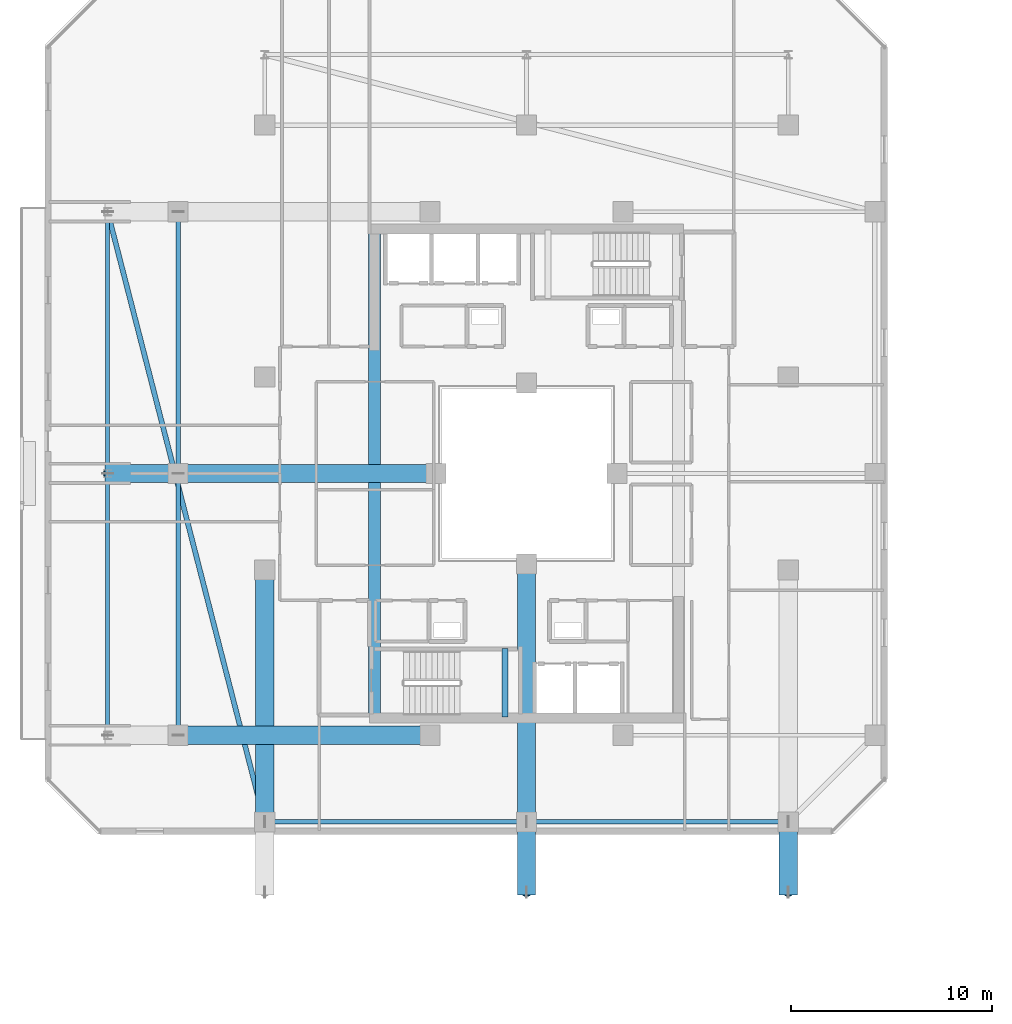
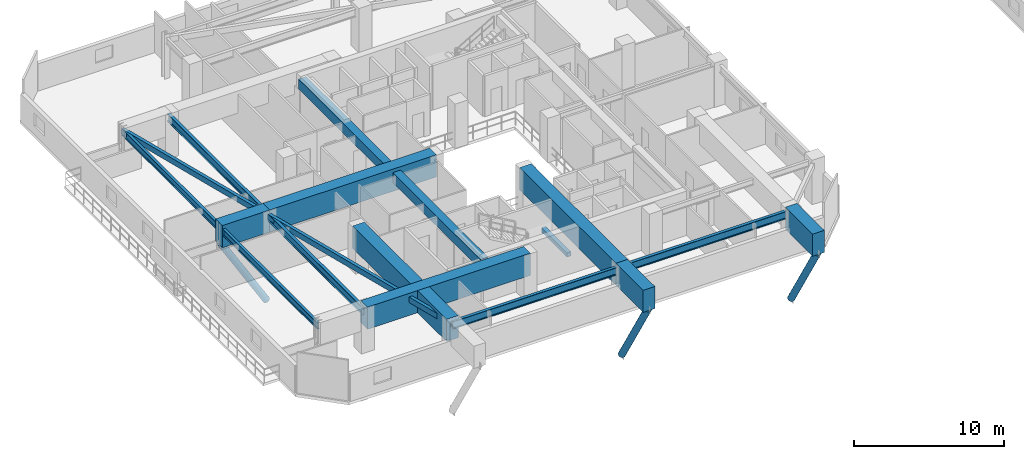
# One storey, part 4 of 35: 16 beams, 3 members.
"""IFC4 building model written with IfcOpenShell, lengths in metres."""

from ifc_helpers import new_model, si_unit, direction, frame, origin, origin_2d, place, context, subcontext, project, spatial, rectangle, hollow_rectangle, hollow_circle, i_section, extrude, material, material_profile, profile_set, type_object, element, save


model = new_model("IFC4")

# Units and contexts
model_context = context("Model", 3, precision=1e-05, world=origin(), true_north=direction((0.0, 1.0)))
body_context = subcontext(model_context, "Body", "Model", "MODEL_VIEW")
ifc_project = project(units=[si_unit("LENGTHUNIT", "METRE"), si_unit("AREAUNIT", "SQUARE_METRE"), si_unit("VOLUMEUNIT", "CUBIC_METRE"), si_unit("PLANEANGLEUNIT", "RADIAN"), si_unit("MASSUNIT", "GRAM", prefix="KILO")], contexts=[model_context])

# Site, building, storey
site_placement = place(None, origin())
site = spatial("IfcSite", under=ifc_project, at=site_placement, CompositionType="ELEMENT")
building_placement = place(site_placement, origin())
building = spatial("IfcBuilding", under=site, at=building_placement, Name="Thornwick Lancets Civic Towers", CompositionType="ELEMENT")
storey_placement = place(building_placement, frame((0.0, 0.0, 225.89990234375)))
storey = spatial("IfcBuildingStorey", under=building, at=storey_placement, Name="L60", CompositionType="ELEMENT", Elevation=225.89990234375)

# Beams
ifc_material_1 = material(Name="Concrete C60/75", Category="concrete")
ifc_material_profile_1 = material_profile(ifc_material_1, rectangle(XDim=0.60009765625, YDim=0.800048828125, at=origin_2d()), Name="RC 600x800")
ifc_profile_set_1 = profile_set([ifc_material_profile_1], Name="Concrete C60/75")
beam_type_1 = type_object("IfcBeamType", Name="BM_COUP_RC800", PredefinedType="BEAM", material=ifc_profile_set_1)
beam_1_placement = place(storey_placement, frame((17.949951171875, 14.89990234375, 2.920166015625), z_axis=(0.0, 1.0, 0.0), x_axis=(-1.0, 0.0, 0.0)))
element("IfcBeam", 1, at=beam_1_placement, inside=storey, type_object=beam_type_1, Name="CB-L60-A2", PredefinedType="BEAM", context=body_context, shape_type="SweptSolid", body=[
    extrude(rectangle(XDim=0.60009765625, YDim=0.800048828125, at=origin_2d()), origin(), (0.0, 0.0, 1.0), 24.2001953125),
])
ifc_material_2 = material(Name="Steel S355JR", Category="steel")
ifc_material_profile_2 = material_profile(ifc_material_2, i_section(OverallWidth=0.210693359375, OverallDepth=0.53955078125, WebThickness=0.01171875, FlangeThickness=0.018798828125, FilletRadius=0.0126953125, at=origin_2d()), Name="UKB 533x210x109")
ifc_profile_set_2 = profile_set([ifc_material_profile_2], Name="Steel S355JR")
beam_type_2 = type_object("IfcBeamType", Name="BM_EDGE_533_109", PredefinedType="SPANDREL", material=ifc_profile_set_2)
beam_2_placement = place(storey_placement, frame((4.699951171875, 14.0, 3.05029296875), z_axis=(0.0, 1.0, 0.0), x_axis=(-1.0, 0.0, 0.0)))
element("IfcBeam", 2, at=beam_2_placement, inside=storey, type_object=beam_type_2, Name="BM-EDGE-L60-A-S3-1", PredefinedType="SPANDREL", context=body_context, shape_type="SweptSolid", body=[
    extrude(i_section(OverallWidth=0.210693359375, OverallDepth=0.53955078125, WebThickness=0.01171875, FlangeThickness=0.018798828125, FilletRadius=0.0126953125, at=origin_2d()), origin(), (0.0, 0.0, 1.0), 13.0),
])
beam_3_placement = place(storey_placement, frame((4.699951171875, 27.080078125, 3.05029296875), z_axis=(0.0, 1.0, 0.0), x_axis=(-1.0, 0.0, 0.0)))
element("IfcBeam", 3, at=beam_3_placement, inside=storey, type_object=beam_type_2, Name="BM-EDGE-L60-A-S3-2", PredefinedType="SPANDREL", context=body_context, shape_type="SweptSolid", body=[
    extrude(i_section(OverallWidth=0.210693359375, OverallDepth=0.53955078125, WebThickness=0.01171875, FlangeThickness=0.018798828125, FilletRadius=0.0126953125, at=origin_2d()), origin(), (0.0, 0.0, 1.0), 12.919921875),
])
ifc_material_profile_3 = material_profile(ifc_material_2, i_section(OverallWidth=0.230224609375, OverallDepth=0.6171875, WebThickness=0.01318359375, FlangeThickness=0.022216796875, FilletRadius=0.0126953125, at=origin_2d()), Name="UKB 610x229x140")
ifc_profile_set_3 = profile_set([ifc_material_profile_3], Name="Steel S355JR")
beam_type_3 = type_object("IfcBeamType", Name="BM_GIRD_610_140", PredefinedType="BEAM", material=ifc_profile_set_3)
beam_4_placement = place(storey_placement, frame((12.5, 9.699951171875, 3.011474609375), z_axis=(1.0, 0.0, 0.0), x_axis=(0.0, 1.0, 0.0)))
element("IfcBeam", 4, at=beam_4_placement, inside=storey, type_object=beam_type_3, Name="BM-SPINE-L60-A-0-1", PredefinedType="BEAM", context=body_context, shape_type="SweptSolid", body=[
    extrude(i_section(OverallWidth=0.230224609375, OverallDepth=0.6171875, WebThickness=0.01318359375, FlangeThickness=0.022216796875, FilletRadius=0.0126953125, at=origin_2d()), origin(), (0.0, 0.0, 1.0), 13.0),
])
beam_5_placement = place(storey_placement, frame((25.580078125, 9.699951171875, 3.011474609375), z_axis=(1.0, 0.0, 0.0), x_axis=(0.0, 1.0, 0.0)))
element("IfcBeam", 5, at=beam_5_placement, inside=storey, type_object=beam_type_3, Name="BM-SPINE-L60-A-1-2", PredefinedType="BEAM", context=body_context, shape_type="SweptSolid", body=[
    extrude(i_section(OverallWidth=0.230224609375, OverallDepth=0.6171875, WebThickness=0.01318359375, FlangeThickness=0.022216796875, FilletRadius=0.0126953125, at=origin_2d()), origin(), (0.0, 0.0, 1.0), 12.919921875),
])
beam_6_placement = place(storey_placement, frame((8.199951171875, 14.0, 3.011474609375), z_axis=(0.0, 1.0, 0.0), x_axis=(-1.0, 0.0, 0.0)))
element("IfcBeam", 6, at=beam_6_placement, inside=storey, type_object=beam_type_3, Name="BM-SPINE-L60-A-9-10", PredefinedType="BEAM", context=body_context, shape_type="SweptSolid", body=[
    extrude(i_section(OverallWidth=0.230224609375, OverallDepth=0.6171875, WebThickness=0.01318359375, FlangeThickness=0.022216796875, FilletRadius=0.0126953125, at=origin_2d()), origin(), (0.0, 0.0, 1.0), 13.0),
])
beam_7_placement = place(storey_placement, frame((8.199951171875, 27.080078125, 3.011474609375), z_axis=(0.0, 1.0, 0.0), x_axis=(-1.0, 0.0, 0.0)))
element("IfcBeam", 7, at=beam_7_placement, inside=storey, type_object=beam_type_3, Name="BM-SPINE-L60-A-10-11", PredefinedType="BEAM", context=body_context, shape_type="SweptSolid", body=[
    extrude(i_section(OverallWidth=0.230224609375, OverallDepth=0.6171875, WebThickness=0.01318359375, FlangeThickness=0.022216796875, FilletRadius=0.0126953125, at=origin_2d()), origin(), (0.0, 0.0, 1.0), 12.919921875),
])
ifc_material_profile_4 = material_profile(ifc_material_2, hollow_rectangle(XDim=0.25, YDim=0.449951171875, WallThickness=0.01611328125, at=origin_2d()), Name="RHS 450x250x16")
ifc_profile_set_4 = profile_set([ifc_material_profile_4], Name="Steel S355JR")
beam_type_4 = type_object("IfcBeamType", Name="BM_RING_RHS450", PredefinedType="BEAM", material=ifc_profile_set_4)
beam_8_placement = place(storey_placement, frame((4.699951171875, 40.0, 3.09521484375), z_axis=(0.249299080716, -0.96842654257, 0.0), x_axis=(0.96842654257, 0.249299080716, 0.0)))
element("IfcBeam", 8, at=beam_8_placement, inside=storey, type_object=beam_type_4, Name="BM-CHAMF-L60-A-C3", PredefinedType="BEAM", context=body_context, shape_type="SweptSolid", body=[
    extrude(hollow_rectangle(XDim=0.25, YDim=0.449951171875, WallThickness=0.01611328125, at=origin_2d()), origin(), (0.0, 0.0, 1.0), 31.287841796875),
])
ifc_material_3 = material(Name="Concrete C40/50", Category="concrete")
ifc_material_profile_5 = material_profile(ifc_material_3, rectangle(XDim=0.300048828125, YDim=0.35009765625, at=origin_2d()), Name="RC 300x350")
ifc_profile_set_5 = profile_set([ifc_material_profile_5], Name="Concrete C40/50")
beam_type_5 = type_object("IfcBeamType", Name="BM_STAIR_LDG", PredefinedType="BEAM", material=ifc_profile_set_5)
beam_9_placement = place(storey_placement, frame((24.43505859375, 14.89990234375, 1.378173828125), z_axis=(0.0, 1.0, 0.0), x_axis=(-1.0, 0.0, 0.0)))
element("IfcBeam", 9, at=beam_9_placement, inside=storey, type_object=beam_type_5, Name="L60 ST-A1 Landing Support Beam 1", PredefinedType="BEAM", context=body_context, shape_type="SweptSolid", body=[
    extrude(rectangle(XDim=0.300048828125, YDim=0.35009765625, at=origin_2d()), origin(), (0.0, 0.0, 1.0), 3.400146484375),
])
ifc_material_profile_6 = material_profile(ifc_material_1, rectangle(XDim=0.89990234375, YDim=1.800048828125, at=origin_2d()), Name="RC 900x1800")
ifc_profile_set_6 = profile_set([ifc_material_profile_6], Name="Concrete C60/75")
beam_type_6 = type_object("IfcBeamType", Name="BM_TR_RC1800", PredefinedType="BEAM", material=ifc_profile_set_6)
beam_10_placement = place(storey_placement, frame((12.5, 22.199951171875, 2.7001953125), z_axis=(0.0, -1.0, 0.0), x_axis=(1.0, 0.0, 0.0)))
element("IfcBeam", 10, at=beam_10_placement, inside=storey, type_object=beam_type_6, Name="TG-BACK-L61-A01", PredefinedType="BEAM", context=body_context, shape_type="SweptSolid", body=[
    extrude(rectangle(XDim=0.89990234375, YDim=1.800048828125, at=origin_2d()), origin(), (0.0, 0.0, 1.0), 12.5),
])
beam_11_placement = place(storey_placement, frame((25.5, 22.5, 2.7001953125), z_axis=(0.0, -1.0, 0.0), x_axis=(1.0, 0.0, 0.0)))
element("IfcBeam", 11, at=beam_11_placement, inside=storey, type_object=beam_type_6, Name="TG-BACK-L61-A02", PredefinedType="BEAM", context=body_context, shape_type="SweptSolid", body=[
    extrude(rectangle(XDim=0.89990234375, YDim=1.800048828125, at=origin_2d()), origin(), (0.0, 0.0, 1.0), 12.800048828125),
])
for number, where, z_axis, x_axis, name in (
    (12, (25.5, 9.699951171875, 2.7001953125), (0.0, -1.0, 0.0), (1.0, 0.0, 0.0), "TG-CANT-L61-A02"),
    (13, (38.5, 9.699951171875, 2.7001953125), (0.0, -1.0, 0.0), (1.0, 0.0, 0.0), "TG-CANT-L61-A03"),
):
    element("IfcBeam", number, at=place(storey_placement, frame(where, z_axis=z_axis, x_axis=x_axis)), inside=storey, type_object=beam_type_6, Name=name, PredefinedType="BEAM", context=body_context, shape_type="SweptSolid", body=[
        extrude(rectangle(XDim=0.89990234375, YDim=1.800048828125, at=origin_2d()), origin(), (0.0, 0.0, 1.0), 3.619873046875),
    ])
beam_12_placement = place(storey_placement, frame((20.699951171875, 14.0, 2.7001953125), z_axis=(-1.0, 0.0, 0.0), x_axis=(0.0, -1.0, 0.0)))
element("IfcBeam", 14, at=beam_12_placement, inside=storey, type_object=beam_type_6, Name="TG-BACK-L61-A10", PredefinedType="BEAM", context=body_context, shape_type="SweptSolid", body=[
    extrude(rectangle(XDim=0.89990234375, YDim=1.800048828125, at=origin_2d()), origin(), (0.0, 0.0, 1.0), 12.5),
])
beam_13_placement = place(storey_placement, frame((21.0, 27.0, 2.7001953125), z_axis=(-1.0, 0.0, 0.0), x_axis=(0.0, -1.0, 0.0)))
element("IfcBeam", 15, at=beam_13_placement, inside=storey, type_object=beam_type_6, Name="TG-BACK-L61-A11", PredefinedType="BEAM", context=body_context, shape_type="SweptSolid", body=[
    extrude(rectangle(XDim=0.89990234375, YDim=1.800048828125, at=origin_2d()), origin(), (0.0, 0.0, 1.0), 12.800048828125),
])
beam_14_placement = place(storey_placement, frame((8.199951171875, 27.0, 2.7001953125), z_axis=(-1.0, 0.0, 0.0), x_axis=(0.0, -1.0, 0.0)))
element("IfcBeam", 16, at=beam_14_placement, inside=storey, type_object=beam_type_6, Name="TG-CANT-L61-A11", PredefinedType="BEAM", context=body_context, shape_type="SweptSolid", body=[
    extrude(rectangle(XDim=0.89990234375, YDim=1.800048828125, at=origin_2d()), origin(), (0.0, 0.0, 1.0), 3.619873046875),
])

# Members
ifc_material_4 = material(Name="Steel S460M", Category="steel")
ifc_material_profile_7 = material_profile(ifc_material_4, hollow_circle(Radius=0.25390625, WallThickness=0.02490234375, at=origin_2d()), Name="CHS 508x25")
ifc_profile_set_7 = profile_set([ifc_material_profile_7], Name="Steel S460M")
member_type = type_object("IfcMemberType", Name="MEM_STRUT_CHS508", PredefinedType="STRUT", material=ifc_profile_set_7)
for number, where, z_axis, x_axis, name in (
    (17, (25.5, 9.699951171875, -3.949951171875), (0.0, -0.514706934567, 0.857366182858), (1.0, 0.0, 0.0), "L61 Jenga Transfer Raking Strut A02"),
    (18, (38.5, 9.699951171875, -3.949951171875), (0.0, -0.514706934567, 0.857366182858), (1.0, 0.0, 0.0), "L61 Jenga Transfer Raking Strut A03"),
    (19, (8.199951171875, 27.0, -3.949951171875), (-0.514706934567, 0.0, 0.857366182858), (0.0, -1.0, 0.0), "L61 Jenga Transfer Raking Strut A11"),
):
    element("IfcMember", number, at=place(storey_placement, frame(where, z_axis=z_axis, x_axis=x_axis)), inside=storey, type_object=member_type, Name=name, PredefinedType="STRUT", context=body_context, shape_type="SweptSolid", body=[
        extrude(hollow_circle(Radius=0.25390625, WallThickness=0.02490234375, at=origin_2d()), origin(), (0.0, 0.0, 1.0), 6.800048828125),
    ])

save(model, "model.ifc")
